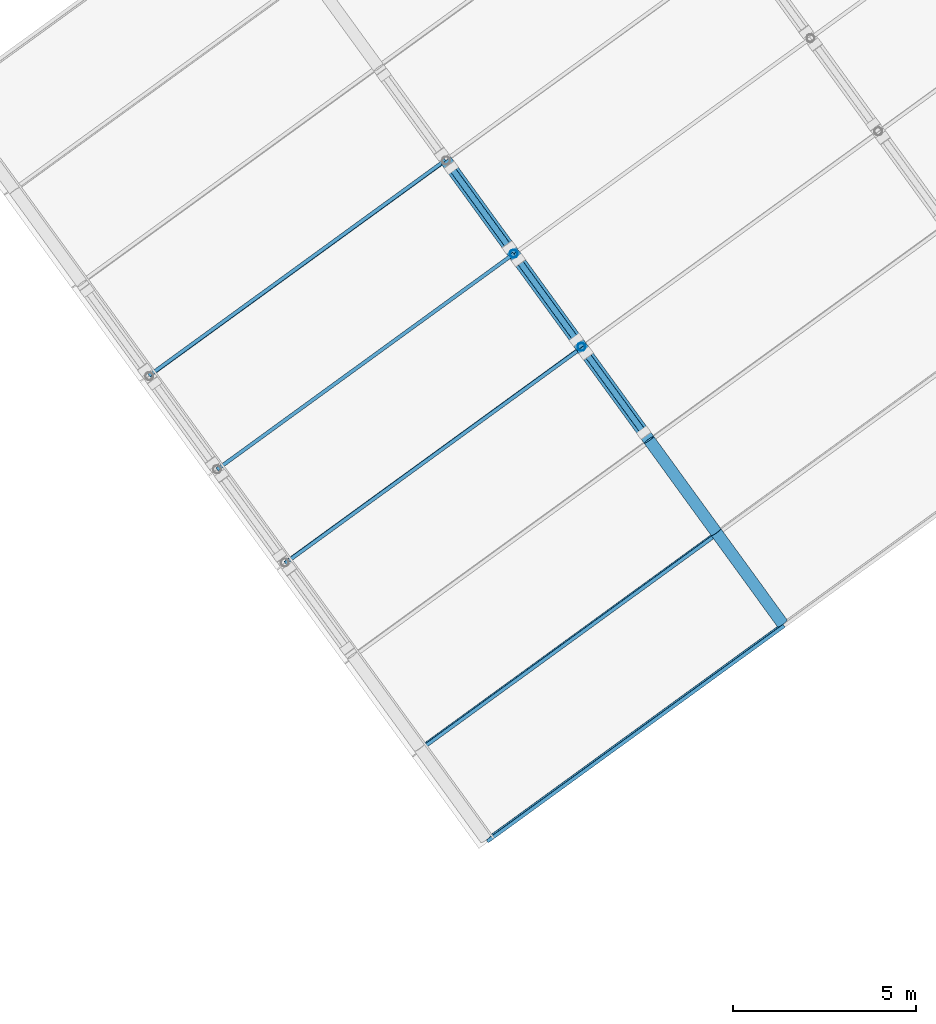
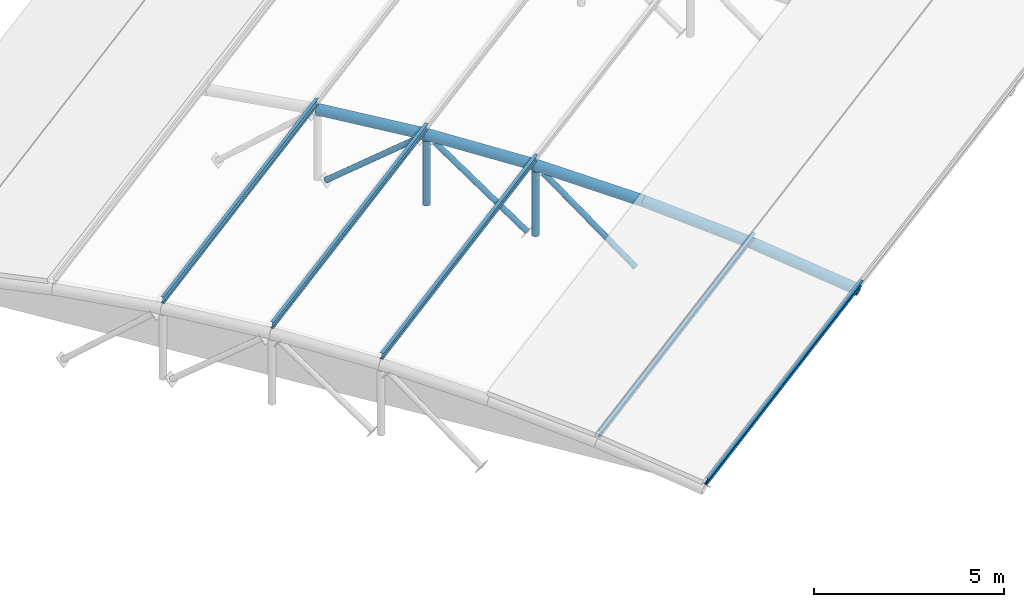
# One storey, part 12 of 41: 10 members, 5 beams.
"""IFC4 building model written with IfcOpenShell, lengths in metres."""

from ifc_helpers import new_model, si_unit, direction, frame, origin, origin_2d, place, context, subcontext, project, spatial, hollow_circle, i_section, extrude, material, material_profile, profile_set, type_object, element, save


model = new_model("IFC4")

# Units and contexts
model_context = context("Model", 3, precision=1e-05, world=origin(), true_north=direction((0.0, 1.0)))
body_context = subcontext(model_context, "Body", "Model", "MODEL_VIEW")
ifc_project = project(units=[si_unit("LENGTHUNIT", "METRE"), si_unit("AREAUNIT", "SQUARE_METRE"), si_unit("VOLUMEUNIT", "CUBIC_METRE"), si_unit("PLANEANGLEUNIT", "RADIAN"), si_unit("MASSUNIT", "GRAM", prefix="KILO")], contexts=[model_context])

# Site, building, storey
site_placement = place(None, origin())
site = spatial("IfcSite", under=ifc_project, at=site_placement, CompositionType="ELEMENT")
building_placement = place(site_placement, origin())
building = spatial("IfcBuilding", under=site, at=building_placement, Name="Okhra Congress Centre", CompositionType="ELEMENT")
storey_placement = place(building_placement, frame((0.0, 0.0, 21.60009765625)))
storey = spatial("IfcBuildingStorey", under=building, at=storey_placement, Name="ROOF", CompositionType="ELEMENT", Elevation=21.60009765625)

# Members
ifc_material_1 = material(Name="Steel S355J2H", Category="steel")
ifc_material_profile_1 = material_profile(ifc_material_1, hollow_circle(Radius=0.084228515625, WallThickness=0.00634765625, at=origin_2d()), Name="CHS 168.3x6.3")
ifc_profile_set_1 = profile_set([ifc_material_profile_1], Name="Steel S355J2H")
member_type_1 = type_object("IfcMemberType", Name="CHS 168.3x6.3", PredefinedType="BRACE", material=ifc_profile_set_1)
member_1_placement = place(storey_placement, frame((225.57080078125, 178.957275390625, -1.07080078125), z_axis=(-0.44685165687, 0.615058439697, 0.649635830685), x_axis=(-0.809026036893, -0.587772806133, 0.0)))
element("IfcMember", 1, at=member_1_placement, inside=storey, type_object=member_type_1, Name="Truss 2 diagonal 8", PredefinedType="BRACE", context=body_context, shape_type="SweptSolid", body=[
    extrude(hollow_circle(Radius=0.084228515625, WallThickness=0.00634765625, at=origin_2d()), origin(), (0.0, 0.0, 1.0), 3.4951171875),
])
for number, where, z_axis, x_axis, name in (
    (2, (223.73193359375, 181.48828125, -0.812255859375), (-0.460427799508, 0.633760263966, 0.621573945125), (-0.809032767915, -0.587763541264, 0.0), "Truss 2 diagonal 9"),
    (3, (220.3291015625, 186.172119140625, -0.812255859375), (0.460427799508, -0.633760263966, 0.621573945125), (0.809032767915, 0.587763541264, 0.0), "Truss 2 diagonal 10"),
):
    element("IfcMember", number, at=place(storey_placement, frame(where, z_axis=z_axis, x_axis=x_axis)), inside=storey, type_object=member_type_1, Name=name, PredefinedType="BRACE", context=body_context, shape_type="SweptSolid", body=[
        extrude(hollow_circle(Radius=0.084228515625, WallThickness=0.00634765625, at=origin_2d()), origin(), (0.0, 0.0, 1.0), 3.40576171875),
    ])
ifc_material_profile_2 = material_profile(ifc_material_1, hollow_circle(Radius=0.109619140625, WallThickness=0.008056640625, at=origin_2d()), Name="CHS 219.1x8")
ifc_profile_set_2 = profile_set([ifc_material_profile_2], Name="Steel S355J2H")
member_type_2 = type_object("IfcMemberType", Name="CHS 219.1x8", PredefinedType="POST", material=ifc_profile_set_2)
member_2_placement = place(storey_placement, frame((223.8759765625, 181.2900390625, -0.842529296875), z_axis=(0.0, 0.0, 1.0), x_axis=(1.0, 0.0, 0.0)))
element("IfcMember", 4, at=member_2_placement, inside=storey, type_object=member_type_2, Name="Truss 2 post 8", PredefinedType="POST", context=body_context, shape_type="SweptSolid", body=[
    extrude(hollow_circle(Radius=0.109619140625, WallThickness=0.008056640625, at=origin_2d()), origin(), (0.0, 0.0, 1.0), 2.071533203125),
])
member_3_placement = place(storey_placement, frame((222.030517578125, 183.830078125, -0.75146484375), z_axis=(0.0, 0.0, 1.0), x_axis=(1.0, 0.0, 0.0)))
element("IfcMember", 5, at=member_3_placement, inside=storey, type_object=member_type_2, Name="Truss 2 post 9", PredefinedType="POST", context=body_context, shape_type="SweptSolid", body=[
    extrude(hollow_circle(Radius=0.109619140625, WallThickness=0.008056640625, at=origin_2d()), origin(), (0.0, 0.0, 1.0), 2.072021484375),
])
ifc_material_profile_3 = material_profile(ifc_material_1, hollow_circle(Radius=0.161865234375, WallThickness=0.012451171875, at=origin_2d()), Name="CHS 323.9x12.5")
ifc_profile_set_3 = profile_set([ifc_material_profile_3], Name="Steel S355J2H")
member_type_3 = type_object("IfcMemberType", Name="CHS 323.9x12.5", PredefinedType="CHORD", material=ifc_profile_set_3)
for number, where, z_axis, x_axis, name in (
    (6, (229.350341796875, 173.75537109375, 0.029052734375), (-0.575629649566, 0.792326309435, 0.202162127805), (-0.80903112876, -0.587765797488, 0.0), "Truss 2 top chord 6"),
    (7, (227.542236328125, 176.244140625, 0.6640625), (-0.581594707866, 0.800460229362, 0.144951774712), (-0.809004349852, -0.587802655592, 0.0), "Truss 2 top chord 7"),
    (8, (225.71533203125, 178.758544921875, 1.119384765625), (-0.585574378555, 0.805922581794, 0.087128866254), (-0.808999165888, -0.587809790317, 0.0), "Truss 2 top chord 8"),
    (9, (223.8759765625, 181.2900390625, 1.39306640625), (-0.587538134891, 0.808671352746, 0.029147612195), (-0.809015088623, -0.587787875327, 0.0), "Truss 2 top chord 9"),
):
    element("IfcMember", number, at=place(storey_placement, frame(where, z_axis=z_axis, x_axis=x_axis)), inside=storey, type_object=member_type_3, Name=name, PredefinedType="CHORD", context=body_context, shape_type="SweptSolid", body=[
        extrude(hollow_circle(Radius=0.161865234375, WallThickness=0.012451171875, at=origin_2d()), origin(), (0.0, 0.0, 1.0), 3.14111328125),
    ])
member_4_placement = place(storey_placement, frame((222.030517578125, 183.830078125, 1.484619140625), z_axis=(-0.587552098776, 0.808661321133, -0.029144449344), x_axis=(-0.809004978104, -0.587801790915, 0.0)))
element("IfcMember", 10, at=member_4_placement, inside=storey, type_object=member_type_3, Name="Truss 2 top chord 10", PredefinedType="CHORD", context=body_context, shape_type="SweptSolid", body=[
    extrude(hollow_circle(Radius=0.161865234375, WallThickness=0.012451171875, at=origin_2d()), origin(), (0.0, 0.0, 1.0), 3.141357421875),
])

# Beams
ifc_material_2 = material(Name="Steel S355J2", Category="steel")
ifc_material_profile_4 = material_profile(ifc_material_2, i_section(OverallWidth=0.10009765625, OverallDepth=0.199951171875, WebThickness=0.005615234375, FlangeThickness=0.008544921875, FilletRadius=0.011962890625, at=origin_2d()), Name="IPE 200")
ifc_profile_set_4 = profile_set([ifc_material_profile_4], Name="Steel S355J2")
beam_type = type_object("IfcBeamType", Name="IPE 200", PredefinedType="BEAM", material=ifc_profile_set_4)
for number, where, z_axis, x_axis, name in (
    (11, (221.295166015625, 167.8291015625, 0.281005859375), (0.809018924928, 0.587782595105, 0.0), (-0.571938839183, 0.787211715105, 0.230615870737), "Purlin 6.31"),
    (12, (219.478271484375, 170.329833984375, 0.919189453125), (0.809018924928, 0.587782595105, 0.0), (-0.578852856745, 0.796728109603, 0.173648177667), "Purlin 7.37"),
):
    element("IfcBeam", number, at=place(storey_placement, frame(where, z_axis=z_axis, x_axis=x_axis)), inside=storey, type_object=beam_type, Name=name, PredefinedType="BEAM", context=body_context, shape_type="SweptSolid", body=[
        extrude(i_section(OverallWidth=0.10009765625, OverallDepth=0.199951171875, WebThickness=0.005615234375, FlangeThickness=0.008544921875, FilletRadius=0.011962890625, at=origin_2d()), origin(), (0.0, 0.0, 1.0), 10.000244140625),
    ])
for number, where, z_axis, x_axis, name in (
    (13, (215.794677734375, 175.39990234375, 1.651611328125), (0.809010490052, 0.58779420462, 0.0), (-0.586799749857, 0.807641772347, 0.058144828905), "Purlin 9.49"),
    (14, (213.940185546875, 177.952392578125, 1.743408203125), (0.809030534284, 0.587766615755, 0.0), (-0.587766615755, 0.809030534284, 0.0), "Purlin 10.55"),
    (15, (212.0859375, 180.504638671875, 1.651611328125), (0.809010490052, 0.58779420462, 0.0), (-0.586799749857, 0.807641772347, -0.058144828905), "Purlin 11.61"),
):
    element("IfcBeam", number, at=place(storey_placement, frame(where, z_axis=z_axis, x_axis=x_axis)), inside=storey, type_object=beam_type, Name=name, PredefinedType="BEAM", context=body_context, shape_type="SweptSolid", body=[
        extrude(i_section(OverallWidth=0.10009765625, OverallDepth=0.199951171875, WebThickness=0.005615234375, FlangeThickness=0.008544921875, FilletRadius=0.011962890625, at=origin_2d()), origin(), (0.0, 0.0, 1.0), 10.0),
    ])

save(model, "model.ifc")
